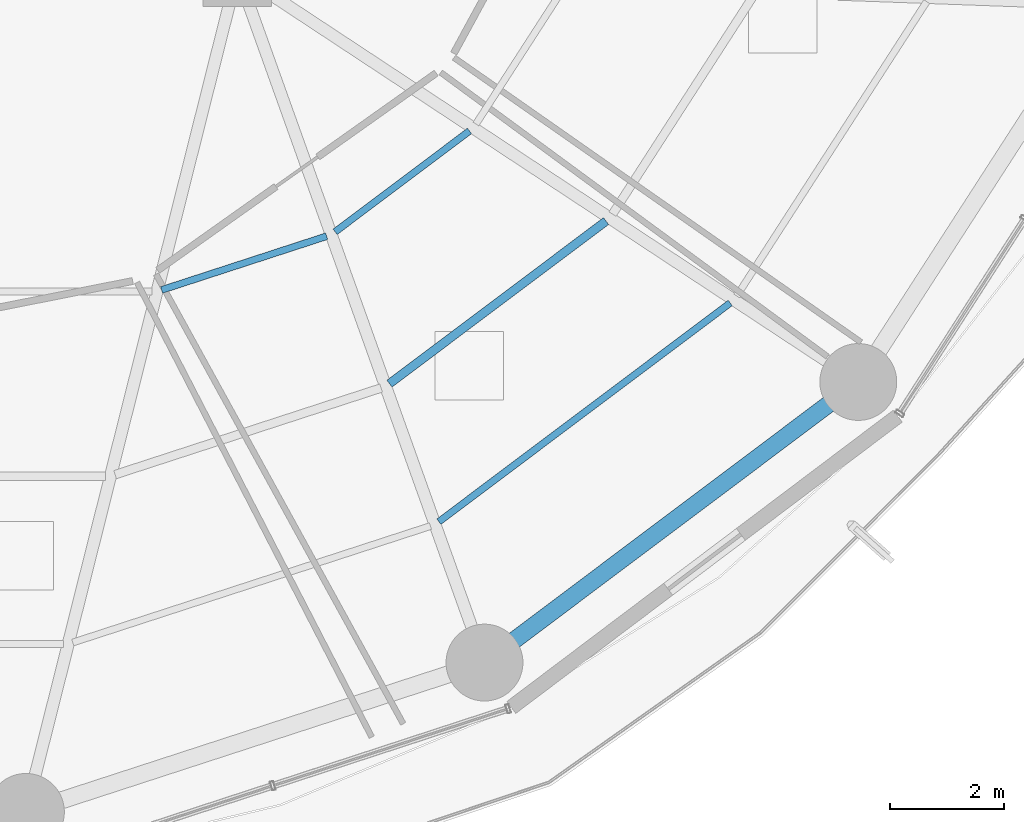
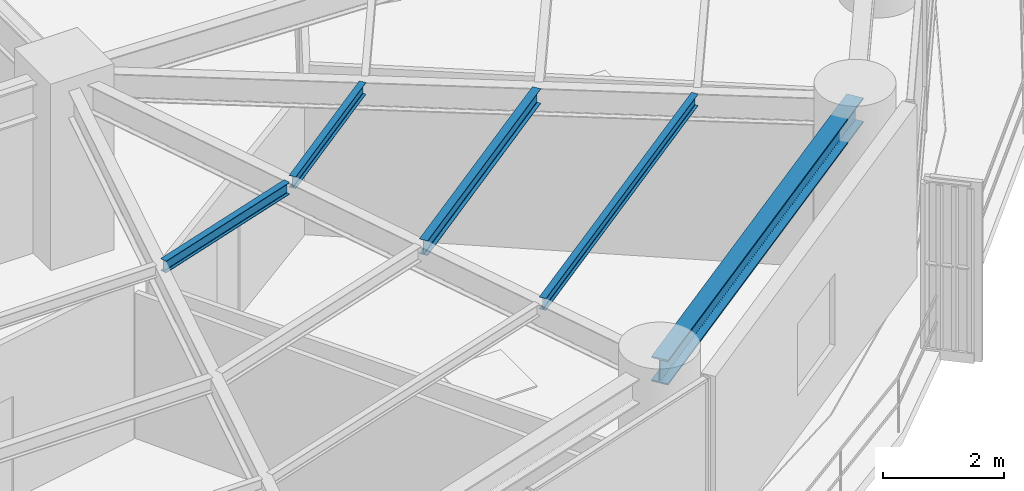
# One storey, part 11 of 35: 5 beams.
"""IFC4 building model written with IfcOpenShell, lengths in metres."""

import ifcopenshell
import ifcopenshell.guid

model = None  # the IFC model being written
_history = None  # IfcOwnerHistory: only IFC2X3 demands one
_inside = {}  # id of a spatial element -> (the spatial element, [elements in it])
_under = {}  # id of a project, library or spatial element -> (it, [spatial elements below it])
_declared = {}  # id of a project -> (the project, [libraries it declares])
_typed = {}  # id of a type object -> (the type object, [elements of that type])
_made_of = {}  # id of a material, layer set ... -> (it, [elements and type objects made of it])


def new_model(schema):
    """Start an empty IFC model of exactly this schema.

    Asked for "IFC4X3", IfcOpenShell would pick the latest addendum, in which some entities
    have other attributes; the version numbers below select the first issue.
    IFC2X3 requires an IfcOwnerHistory on every rooted entity: one is made here for all.
    """
    global model, _history
    if schema == "IFC4X3":
        model = ifcopenshell.file(schema_version=(4, 3, 0, 0))
    else:
        model = ifcopenshell.file(schema=schema)
    _inside.clear()
    _under.clear()
    _declared.clear()
    _typed.clear()
    _made_of.clear()
    _history = None
    if model.schema == "IFC2X3":
        org = make("IfcOrganization", Name="unknown")
        user = make(
            "IfcPersonAndOrganization",
            ThePerson=make("IfcPerson", FamilyName="unknown"),
            TheOrganization=org,
        )
        app = make(
            "IfcApplication",
            ApplicationDeveloper=org,
            Version="unknown",
            ApplicationFullName="unknown",
            ApplicationIdentifier="unknown",
        )
        _history = make(
            "IfcOwnerHistory",
            OwningUser=user,
            OwningApplication=app,
            ChangeAction="ADDED",
            CreationDate=0,
        )
    return model


def make(cls, **values):
    """One entity of the class cls with the attributes given. An attribute that is None is left unset."""
    return model.create_entity(
        cls, **{name: value for name, value in values.items() if value is not None}
    )


def rooted(cls, **values):
    """An entity with a GlobalId (a new one), such as an element, a storey or a relation."""
    return make(cls, GlobalId=ifcopenshell.guid.new(), OwnerHistory=_history, **values)


def si_unit(unit_type, name, prefix=None):
    """IfcSIUnit, for example si_unit("LENGTHUNIT", "METRE", prefix="MILLI")."""
    return make("IfcSIUnit", UnitType=unit_type, Prefix=prefix, Name=name)


def assignment(units):
    """IfcUnitAssignment: the units of a project."""
    return None if units is None else make("IfcUnitAssignment", Units=units)


def point(xyz):
    """IfcCartesianPoint."""
    return None if xyz is None else make("IfcCartesianPoint", Coordinates=xyz)


def direction(xyz):
    """IfcDirection."""
    return None if xyz is None else make("IfcDirection", DirectionRatios=xyz)


def frame(location, z_axis=None, x_axis=None):
    """IfcAxis2Placement3D, a coordinate frame: its origin and axes. An axis left out is left unset."""
    return make(
        "IfcAxis2Placement3D",
        Location=point(location),
        Axis=direction(z_axis),
        RefDirection=direction(x_axis),
    )


def frame_2d(location, x_axis=None):
    """IfcAxis2Placement2D, a coordinate frame in the plane: its origin and x axis."""
    return make(
        "IfcAxis2Placement2D", Location=point(location), RefDirection=direction(x_axis)
    )


def origin():
    """The frame at (0, 0, 0) with its axes left unset."""
    return frame((0.0, 0.0, 0.0))


def origin_2d():
    """The frame at (0, 0) in the plane with its x axis left unset."""
    return frame_2d((0.0, 0.0))


def place(relative_to, where):
    """IfcLocalPlacement: puts the frame where relative to a parent placement (None: the world)."""
    return make(
        "IfcLocalPlacement", PlacementRelTo=relative_to, RelativePlacement=where
    )


def context(
    kind, dimensions, precision=None, world=None, true_north=None, identifier=None
):
    """IfcGeometricRepresentationContext, for example the 3D "Model" context."""
    return make(
        "IfcGeometricRepresentationContext",
        ContextIdentifier=identifier,
        ContextType=kind,
        CoordinateSpaceDimension=dimensions,
        Precision=precision,
        WorldCoordinateSystem=world,
        TrueNorth=true_north,
    )


def subcontext(parent, identifier, kind, view, scale=None):
    """IfcGeometricRepresentationSubContext, for example "Body" below "Model"."""
    return make(
        "IfcGeometricRepresentationSubContext",
        ContextIdentifier=identifier,
        ContextType=kind,
        ParentContext=parent,
        TargetScale=scale,
        TargetView=view,
    )


def project(units=None, contexts=None):
    """IfcProject with its units and contexts."""
    return rooted(
        "IfcProject",
        Name="project",
        RepresentationContexts=contexts,
        UnitsInContext=assignment(units),
    )


def spatial(cls, under=None, at=None, **own):
    """A site, building, storey or space (cls), placed at a placement, below another one or the project."""
    s = rooted(cls, ObjectPlacement=at, **own)
    if under is not None:
        _under.setdefault(under.id(), (under, []))[1].append(s)
    return s


def profile(cls, at=None, kind="AREA", **sizes):
    """A parametric profile (cls). Its sizes go by their IFC names, for example OverallWidth=200.0."""
    return make(cls, ProfileType=kind, Position=at, **sizes)


def i_section(**sizes):
    """IfcIShapeProfileDef."""
    return profile("IfcIShapeProfileDef", **sizes)


def extrude(swept, where, along, depth):
    """IfcExtrudedAreaSolid: the profile swept, set in the frame where, extruded along a direction by depth."""
    return make(
        "IfcExtrudedAreaSolid",
        SweptArea=swept,
        Position=where,
        ExtrudedDirection=direction(along),
        Depth=depth,
    )


def shape(context_of_items, identifier, shape_type, items):
    """IfcShapeRepresentation: the items that make up one representation, for example the "Body"."""
    return make(
        "IfcShapeRepresentation",
        ContextOfItems=context_of_items,
        RepresentationIdentifier=identifier,
        RepresentationType=shape_type,
        Items=items,
    )


def material(Name=None, Category=None):
    """IfcMaterial."""
    return make("IfcMaterial", Name=Name, Category=Category)


def material_profile(
    of_material, cross_section, Name=None, Category=None, Priority=None
):
    """IfcMaterialProfile: a cross section and its material."""
    return make(
        "IfcMaterialProfile",
        Name=Name,
        Material=of_material,
        Profile=cross_section,
        Priority=Priority,
        Category=Category,
    )


def profile_set(profiles, Name=None, composite=None):
    """IfcMaterialProfileSet."""
    return make(
        "IfcMaterialProfileSet",
        Name=Name,
        MaterialProfiles=profiles,
        CompositeProfile=composite,
    )


def made_of(thing, what):
    """Note that an element or type object is made of a material, layer set ...; save() writes the relation."""
    if what is not None:
        _made_of.setdefault(what.id(), (what, []))[1].append(thing)
    return thing


def type_object(cls, material=None, **own):
    """A type object (cls), such as IfcWallType, which elements share."""
    return made_of(rooted(cls, **own), material)


def element(
    cls,
    number,
    at=None,
    inside=None,
    cuts=None,
    type_object=None,
    material=None,
    context=None,
    identifier="Body",
    shape_type=None,
    held_by="IfcProductDefinitionShape",
    body=None,
    shapes=None,
    **own,
):
    """One element of the class cls, such as IfcWall. Its Tag is "e" and its number.

    at: its placement. inside: the storey or other place that contains it. cuts: it is an
    opening in that element (IfcRelVoidsElement). A single representation is given by context,
    identifier, shape_type and body (its items); several are given by shapes. held_by: the class
    of the entity that holds the representations. save() writes the other relations.
    """
    e = rooted(cls, Tag="e%d" % number, ObjectPlacement=at, **own)
    if body is not None:
        shapes = [shape(context, identifier, shape_type, body)]
    if shapes is not None:
        e.Representation = make(held_by, Representations=shapes)
    if inside is not None:
        _inside.setdefault(inside.id(), (inside, []))[1].append(e)
    if cuts is not None:
        rooted(
            "IfcRelVoidsElement", RelatingBuildingElement=cuts, RelatedOpeningElement=e
        )
    if type_object is not None:
        _typed.setdefault(type_object.id(), (type_object, []))[1].append(e)
    return made_of(e, material)


def aggregate(whole, parts):
    """IfcRelAggregates: a whole, such as a stair, and the parts it consists of."""
    return rooted("IfcRelAggregates", RelatingObject=whole, RelatedObjects=parts)


def save(model, path):
    """Write the relations noted so far, then the file.

    IfcRelAggregates (storeys below a building ...), IfcRelContainedInSpatialStructure (elements
    in a storey), IfcRelDefinesByType, IfcRelAssociatesMaterial and IfcRelDeclares: one each for
    every whole, place, type object, material and project.
    """
    for whole, parts in _under.values():
        aggregate(whole, parts)
    for where, things in _inside.values():
        rooted(
            "IfcRelContainedInSpatialStructure",
            RelatedElements=things,
            RelatingStructure=where,
        )
    for kind, things in _typed.values():
        rooted("IfcRelDefinesByType", RelatedObjects=things, RelatingType=kind)
    for what, things in _made_of.values():
        rooted("IfcRelAssociatesMaterial", RelatedObjects=things, RelatingMaterial=what)
    for by, libraries in _declared.values():
        rooted("IfcRelDeclares", RelatingContext=by, RelatedDefinitions=libraries)
    model.write(path)


model = new_model("IFC4")

# Units and contexts
model_context = context("Model", 3, precision=1e-05, world=origin(), true_north=direction((0.0, 1.0)))
body_context = subcontext(model_context, "Body", "Model", "MODEL_VIEW")
ifc_project = project(units=[si_unit("LENGTHUNIT", "METRE"), si_unit("AREAUNIT", "SQUARE_METRE"), si_unit("VOLUMEUNIT", "CUBIC_METRE"), si_unit("PLANEANGLEUNIT", "RADIAN"), si_unit("MASSUNIT", "GRAM", prefix="KILO")], contexts=[model_context])

# Site, building, storey
site_placement = place(None, origin())
site = spatial("IfcSite", under=ifc_project, at=site_placement, CompositionType="ELEMENT")
building_placement = place(site_placement, origin())
building = spatial("IfcBuilding", under=site, at=building_placement, Name="Kelanora Arch Commons", CompositionType="ELEMENT")
storey_placement = place(building_placement, frame((0.0, 0.0, 121.35009765625)))
storey = spatial("IfcBuildingStorey", under=building, at=storey_placement, Name="L31", CompositionType="ELEMENT", Elevation=121.35009765625)

# Beams
ifc_material = material(Name="Steel S355", Category="steel")
ifc_material_profile_1 = material_profile(ifc_material, i_section(OverallWidth=0.14990234375, OverallDepth=0.300048828125, WebThickness=0.007080078125, FlangeThickness=0.0107421875, FilletRadius=0.014892578125, at=origin_2d()), Name="IPE300")
ifc_profile_set_1 = profile_set([ifc_material_profile_1], Name="Steel S355")
beam_type_1 = type_object("IfcBeamType", Name="BM-JST-01", PredefinedType="JOIST", material=ifc_profile_set_1)
beam_1_placement = place(storey_placement, frame((84.672119140625, 43.77783203125, 3.33984375), z_axis=(0.79971039107, 0.600385951214, 0.0), x_axis=(-0.600385951214, 0.79971039107, 0.0)))
element("IfcBeam", 1, at=beam_1_placement, inside=storey, type_object=beam_type_1, Name="Secondary Chord Joist BJB-30 L31", PredefinedType="JOIST", context=body_context, shape_type="SweptSolid", body=[
    extrude(i_section(OverallWidth=0.14990234375, OverallDepth=0.300048828125, WebThickness=0.007080078125, FlangeThickness=0.0107421875, FilletRadius=0.014892578125, at=origin_2d()), origin(), (0.0, 0.0, 1.0), 4.756103515625),
])
ifc_material_profile_2 = material_profile(ifc_material, i_section(OverallWidth=0.1201171875, OverallDepth=0.239990234375, WebThickness=0.006103515625, FlangeThickness=0.009765625, FilletRadius=0.014892578125, at=origin_2d()), Name="IPE240")
ifc_profile_set_2 = profile_set([ifc_material_profile_2], Name="Steel S355")
beam_type_2 = type_object("IfcBeamType", Name="BM-JST-02", PredefinedType="JOIST", material=ifc_profile_set_2)
beam_2_placement = place(storey_placement, frame((80.66943359375, 45.42333984375, 3.369873046875), z_axis=(0.950846758946, 0.309661817151, 0.0), x_axis=(-0.309661817151, 0.950846758946, 0.0)))
element("IfcBeam", 2, at=beam_2_placement, inside=storey, type_object=beam_type_2, Name="Secondary Chord Joist BJA-28 L31", PredefinedType="JOIST", context=body_context, shape_type="SweptSolid", body=[
    extrude(i_section(OverallWidth=0.1201171875, OverallDepth=0.239990234375, WebThickness=0.006103515625, FlangeThickness=0.009765625, FilletRadius=0.014892578125, at=origin_2d()), origin(), (0.0, 0.0, 1.0), 3.048828125),
])
beam_3_placement = place(storey_placement, frame((83.71728515625, 46.444580078125, 3.369873046875), z_axis=(0.799692034361, 0.600410401458, 0.0), x_axis=(-0.600410401458, 0.799692034361, 0.0)))
element("IfcBeam", 3, at=beam_3_placement, inside=storey, type_object=beam_type_2, Name="Secondary Chord Joist BJA-30 L31", PredefinedType="JOIST", context=body_context, shape_type="SweptSolid", body=[
    extrude(i_section(OverallWidth=0.1201171875, OverallDepth=0.239990234375, WebThickness=0.006103515625, FlangeThickness=0.009765625, FilletRadius=0.014892578125, at=origin_2d()), origin(), (0.0, 0.0, 1.0), 2.949951171875),
])
beam_4_placement = place(storey_placement, frame((85.5400390625, 41.353515625, 3.369873046875), z_axis=(0.799734335646, 0.600354055861, 0.0), x_axis=(-0.600354055861, 0.799734335646, 0.0)))
element("IfcBeam", 4, at=beam_4_placement, inside=storey, type_object=beam_type_2, Name="Secondary Chord Joist BJC-30 L31", PredefinedType="JOIST", context=body_context, shape_type="SweptSolid", body=[
    extrude(i_section(OverallWidth=0.1201171875, OverallDepth=0.239990234375, WebThickness=0.006103515625, FlangeThickness=0.009765625, FilletRadius=0.014892578125, at=origin_2d()), origin(), (0.0, 0.0, 1.0), 6.39794921875),
])
ifc_material_profile_3 = material_profile(ifc_material, i_section(OverallWidth=0.300048828125, OverallDepth=0.5, WebThickness=0.014404296875, FlangeThickness=0.028076171875, FilletRadius=0.027099609375, at=origin_2d()), Name="HEB500")
ifc_profile_set_3 = profile_set([ifc_material_profile_3], Name="Steel S355")
beam_type_3 = type_object("IfcBeamType", Name="BM-SPN-Z2", PredefinedType="SPANDREL", material=ifc_profile_set_3)
beam_5_placement = place(storey_placement, frame((86.340087890625, 38.878173828125, 3.239990234375), z_axis=(0.799735861602, 0.600352023123, 0.0), x_axis=(-0.600352023123, 0.799735861602, 0.0)))
element("IfcBeam", 5, at=beam_5_placement, inside=storey, type_object=beam_type_3, Name="Perimeter Spandrel Beam BS-30 L31", PredefinedType="SPANDREL", context=body_context, shape_type="SweptSolid", body=[
    extrude(i_section(OverallWidth=0.300048828125, OverallDepth=0.5, WebThickness=0.014404296875, FlangeThickness=0.028076171875, FilletRadius=0.027099609375, at=origin_2d()), origin(), (0.0, 0.0, 1.0), 8.210205078125),
])

save(model, "model.ifc")
